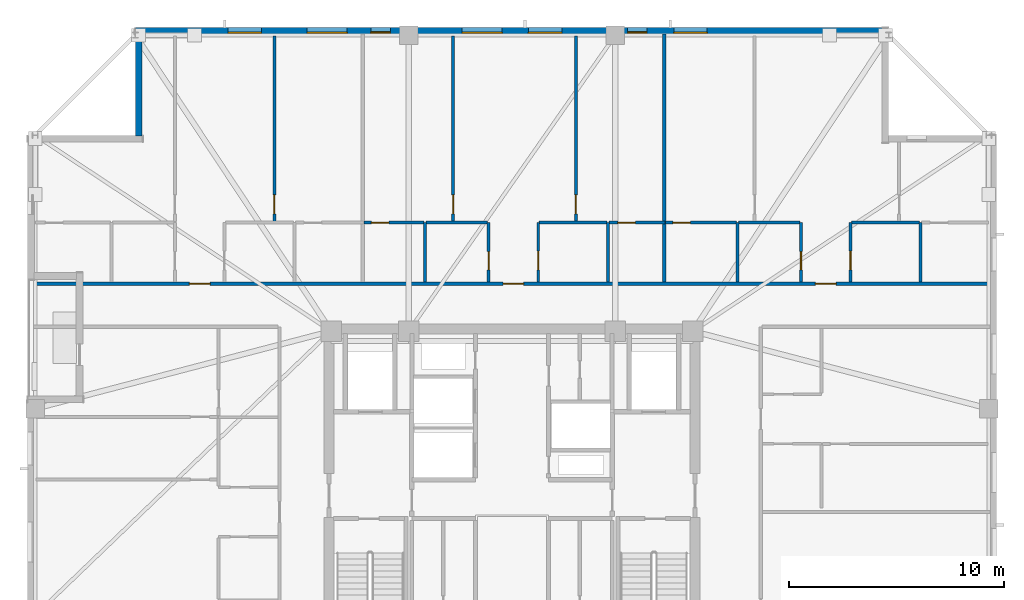
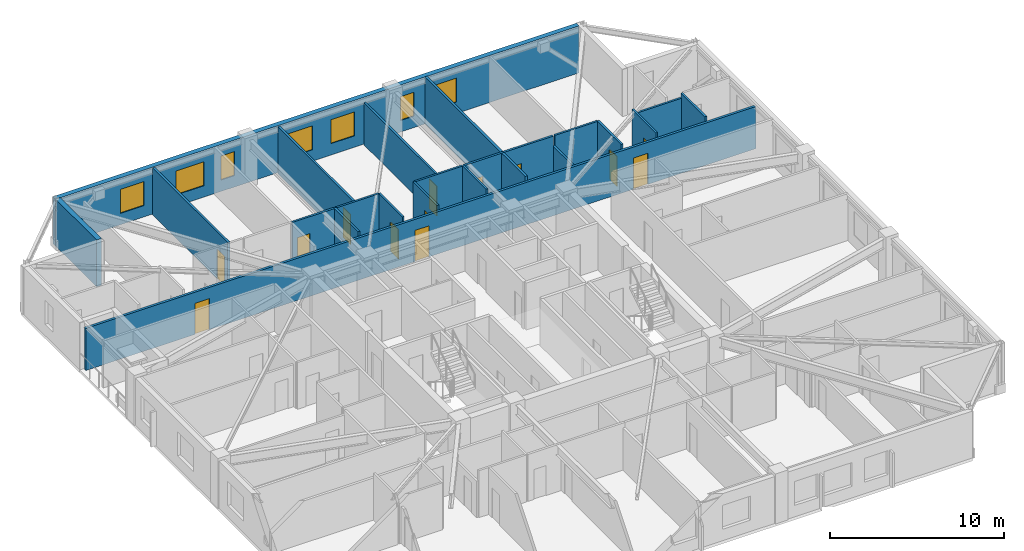
# One storey, part 11 of 17: 22 walls, 13 doors, 7 windows, 20 openings.
"""IFC4 building model written with IfcOpenShell, lengths in metres."""

import ifcopenshell
import ifcopenshell.guid

model = None  # the IFC model being written
_history = None  # IfcOwnerHistory: only IFC2X3 demands one
_inside = {}  # id of a spatial element -> (the spatial element, [elements in it])
_under = {}  # id of a project, library or spatial element -> (it, [spatial elements below it])
_declared = {}  # id of a project -> (the project, [libraries it declares])
_typed = {}  # id of a type object -> (the type object, [elements of that type])
_made_of = {}  # id of a material, layer set ... -> (it, [elements and type objects made of it])


def new_model(schema):
    """Start an empty IFC model of exactly this schema.

    Asked for "IFC4X3", IfcOpenShell would pick the latest addendum, in which some entities
    have other attributes; the version numbers below select the first issue.
    IFC2X3 requires an IfcOwnerHistory on every rooted entity: one is made here for all.
    """
    global model, _history
    if schema == "IFC4X3":
        model = ifcopenshell.file(schema_version=(4, 3, 0, 0))
    else:
        model = ifcopenshell.file(schema=schema)
    _inside.clear()
    _under.clear()
    _declared.clear()
    _typed.clear()
    _made_of.clear()
    _history = None
    if model.schema == "IFC2X3":
        org = make("IfcOrganization", Name="unknown")
        user = make(
            "IfcPersonAndOrganization",
            ThePerson=make("IfcPerson", FamilyName="unknown"),
            TheOrganization=org,
        )
        app = make(
            "IfcApplication",
            ApplicationDeveloper=org,
            Version="unknown",
            ApplicationFullName="unknown",
            ApplicationIdentifier="unknown",
        )
        _history = make(
            "IfcOwnerHistory",
            OwningUser=user,
            OwningApplication=app,
            ChangeAction="ADDED",
            CreationDate=0,
        )
    return model


def make(cls, **values):
    """One entity of the class cls with the attributes given. An attribute that is None is left unset."""
    return model.create_entity(
        cls, **{name: value for name, value in values.items() if value is not None}
    )


def rooted(cls, **values):
    """An entity with a GlobalId (a new one), such as an element, a storey or a relation."""
    return make(cls, GlobalId=ifcopenshell.guid.new(), OwnerHistory=_history, **values)


def si_unit(unit_type, name, prefix=None):
    """IfcSIUnit, for example si_unit("LENGTHUNIT", "METRE", prefix="MILLI")."""
    return make("IfcSIUnit", UnitType=unit_type, Prefix=prefix, Name=name)


def assignment(units):
    """IfcUnitAssignment: the units of a project."""
    return None if units is None else make("IfcUnitAssignment", Units=units)


def point(xyz):
    """IfcCartesianPoint."""
    return None if xyz is None else make("IfcCartesianPoint", Coordinates=xyz)


def direction(xyz):
    """IfcDirection."""
    return None if xyz is None else make("IfcDirection", DirectionRatios=xyz)


def frame(location, z_axis=None, x_axis=None):
    """IfcAxis2Placement3D, a coordinate frame: its origin and axes. An axis left out is left unset."""
    return make(
        "IfcAxis2Placement3D",
        Location=point(location),
        Axis=direction(z_axis),
        RefDirection=direction(x_axis),
    )


def frame_2d(location, x_axis=None):
    """IfcAxis2Placement2D, a coordinate frame in the plane: its origin and x axis."""
    return make(
        "IfcAxis2Placement2D", Location=point(location), RefDirection=direction(x_axis)
    )


def origin():
    """The frame at (0, 0, 0) with its axes left unset."""
    return frame((0.0, 0.0, 0.0))


def place(relative_to, where):
    """IfcLocalPlacement: puts the frame where relative to a parent placement (None: the world)."""
    return make(
        "IfcLocalPlacement", PlacementRelTo=relative_to, RelativePlacement=where
    )


def context(
    kind, dimensions, precision=None, world=None, true_north=None, identifier=None
):
    """IfcGeometricRepresentationContext, for example the 3D "Model" context."""
    return make(
        "IfcGeometricRepresentationContext",
        ContextIdentifier=identifier,
        ContextType=kind,
        CoordinateSpaceDimension=dimensions,
        Precision=precision,
        WorldCoordinateSystem=world,
        TrueNorth=true_north,
    )


def subcontext(parent, identifier, kind, view, scale=None):
    """IfcGeometricRepresentationSubContext, for example "Body" below "Model"."""
    return make(
        "IfcGeometricRepresentationSubContext",
        ContextIdentifier=identifier,
        ContextType=kind,
        ParentContext=parent,
        TargetScale=scale,
        TargetView=view,
    )


def project(units=None, contexts=None):
    """IfcProject with its units and contexts."""
    return rooted(
        "IfcProject",
        Name="project",
        RepresentationContexts=contexts,
        UnitsInContext=assignment(units),
    )


def spatial(cls, under=None, at=None, **own):
    """A site, building, storey or space (cls), placed at a placement, below another one or the project."""
    s = rooted(cls, ObjectPlacement=at, **own)
    if under is not None:
        _under.setdefault(under.id(), (under, []))[1].append(s)
    return s


def profile(cls, at=None, kind="AREA", **sizes):
    """A parametric profile (cls). Its sizes go by their IFC names, for example OverallWidth=200.0."""
    return make(cls, ProfileType=kind, Position=at, **sizes)


def rectangle(**sizes):
    """IfcRectangleProfileDef."""
    return profile("IfcRectangleProfileDef", **sizes)


def extrude(swept, where, along, depth):
    """IfcExtrudedAreaSolid: the profile swept, set in the frame where, extruded along a direction by depth."""
    return make(
        "IfcExtrudedAreaSolid",
        SweptArea=swept,
        Position=where,
        ExtrudedDirection=direction(along),
        Depth=depth,
    )


def shape(context_of_items, identifier, shape_type, items):
    """IfcShapeRepresentation: the items that make up one representation, for example the "Body"."""
    return make(
        "IfcShapeRepresentation",
        ContextOfItems=context_of_items,
        RepresentationIdentifier=identifier,
        RepresentationType=shape_type,
        Items=items,
    )


def material(Name=None, Category=None):
    """IfcMaterial."""
    return make("IfcMaterial", Name=Name, Category=Category)


def layer(
    of_material, thickness, ventilated=None, Name=None, Category=None, Priority=None
):
    """IfcMaterialLayer: one layer of a wall or slab, of a material (None: an air gap)."""
    return make(
        "IfcMaterialLayer",
        Material=of_material,
        LayerThickness=thickness,
        IsVentilated=ventilated,
        Name=Name,
        Category=Category,
        Priority=Priority,
    )


def layer_set(layers, Name=None):
    """IfcMaterialLayerSet."""
    return make("IfcMaterialLayerSet", MaterialLayers=layers, LayerSetName=Name)


def made_of(thing, what):
    """Note that an element or type object is made of a material, layer set ...; save() writes the relation."""
    if what is not None:
        _made_of.setdefault(what.id(), (what, []))[1].append(thing)
    return thing


def type_object(cls, material=None, **own):
    """A type object (cls), such as IfcWallType, which elements share."""
    return made_of(rooted(cls, **own), material)


def element(
    cls,
    number,
    at=None,
    inside=None,
    cuts=None,
    type_object=None,
    material=None,
    context=None,
    identifier="Body",
    shape_type=None,
    held_by="IfcProductDefinitionShape",
    body=None,
    shapes=None,
    **own,
):
    """One element of the class cls, such as IfcWall. Its Tag is "e" and its number.

    at: its placement. inside: the storey or other place that contains it. cuts: it is an
    opening in that element (IfcRelVoidsElement). A single representation is given by context,
    identifier, shape_type and body (its items); several are given by shapes. held_by: the class
    of the entity that holds the representations. save() writes the other relations.
    """
    e = rooted(cls, Tag="e%d" % number, ObjectPlacement=at, **own)
    if body is not None:
        shapes = [shape(context, identifier, shape_type, body)]
    if shapes is not None:
        e.Representation = make(held_by, Representations=shapes)
    if inside is not None:
        _inside.setdefault(inside.id(), (inside, []))[1].append(e)
    if cuts is not None:
        rooted(
            "IfcRelVoidsElement", RelatingBuildingElement=cuts, RelatedOpeningElement=e
        )
    if type_object is not None:
        _typed.setdefault(type_object.id(), (type_object, []))[1].append(e)
    return made_of(e, material)


def fill(opening, filler):
    """IfcRelFillsElement: the door or window that sits in an opening."""
    return rooted(
        "IfcRelFillsElement",
        RelatingOpeningElement=opening,
        RelatedBuildingElement=filler,
    )


def aggregate(whole, parts):
    """IfcRelAggregates: a whole, such as a stair, and the parts it consists of."""
    return rooted("IfcRelAggregates", RelatingObject=whole, RelatedObjects=parts)


def save(model, path):
    """Write the relations noted so far, then the file.

    IfcRelAggregates (storeys below a building ...), IfcRelContainedInSpatialStructure (elements
    in a storey), IfcRelDefinesByType, IfcRelAssociatesMaterial and IfcRelDeclares: one each for
    every whole, place, type object, material and project.
    """
    for whole, parts in _under.values():
        aggregate(whole, parts)
    for where, things in _inside.values():
        rooted(
            "IfcRelContainedInSpatialStructure",
            RelatedElements=things,
            RelatingStructure=where,
        )
    for kind, things in _typed.values():
        rooted("IfcRelDefinesByType", RelatedObjects=things, RelatingType=kind)
    for what, things in _made_of.values():
        rooted("IfcRelAssociatesMaterial", RelatedObjects=things, RelatingMaterial=what)
    for by, libraries in _declared.values():
        rooted("IfcRelDeclares", RelatingContext=by, RelatedDefinitions=libraries)
    model.write(path)


model = new_model("IFC4")

# Units and contexts
model_context = context("Model", 3, precision=1e-05, world=origin(), true_north=direction((0.0, 1.0)))
body_context = subcontext(model_context, "Body", "Model", "MODEL_VIEW")
ifc_project = project(units=[si_unit("LENGTHUNIT", "METRE"), si_unit("AREAUNIT", "SQUARE_METRE"), si_unit("VOLUMEUNIT", "CUBIC_METRE"), si_unit("PLANEANGLEUNIT", "RADIAN"), si_unit("MASSUNIT", "GRAM", prefix="KILO")], contexts=[model_context])

# Site, building, storey
site_placement = place(None, origin())
site = spatial("IfcSite", under=ifc_project, at=site_placement, CompositionType="ELEMENT")
building_placement = place(site_placement, origin())
building = spatial("IfcBuilding", under=site, at=building_placement, Name="Cairnveth Concourse Tower", CompositionType="ELEMENT")
storey_placement = place(building_placement, frame((0.0, 0.0, 227.0)))
storey = spatial("IfcBuildingStorey", under=building, at=storey_placement, Name="L62", CompositionType="ELEMENT", Elevation=227.0)

# Wall, openings, doors
ifc_material_1 = material(Name="Gypsum Plasterboard Partition", Category="gypsum")
ifc_layer_1 = layer(ifc_material_1, 0.159912109375)
ifc_layer_set_1 = layer_set([ifc_layer_1], Name="Gypsum Plasterboard Partition")
wall_type_1 = type_object("IfcWallType", Name="ACOUSTIC PARTY WALL 180", PredefinedType="PARTITIONING", material=ifc_layer_set_1)
wall_1_placement = place(storey_placement, frame((29.77001953125, 49.612548828125, 0.0), z_axis=(0.0, 0.0, 1.0), x_axis=(1.0, 0.0, 0.0)))
wall_1 = element("IfcWall", 1, at=wall_1_placement, inside=storey, type_object=wall_type_1, Name="Interior Wall IW-L62-037", PredefinedType="PARTITIONING", context=body_context, shape_type="SweptSolid", body=[
    extrude(rectangle(XDim=44.425048828125, YDim=0.159912109375, at=frame_2d((22.21240234375, 0.0))), origin(), (0.0, 0.0, 1.0), 2.9580078125),
])
opening_1_placement = place(wall_1_placement, frame((7.2412109375, 0.0, 0.0)))
opening_1 = element("IfcOpeningElement", 2, at=opening_1_placement, cuts=wall_1, Name="Opening ID10", PredefinedType="OPENING", context=body_context, shape_type="SweptSolid", body=[
    extrude(rectangle(XDim=0.9599609375, YDim=2.179931640625, at=frame_2d((0.47998046875, 1.08984375))), frame((0.0, 0.08984375, 0.0), z_axis=(0.0, -1.0, 0.0), x_axis=(1.0, 0.0, 0.0)), (0.0, 0.0, 1.0), 0.179931640625),
])
opening_2_placement = place(wall_1_placement, frame((21.81494140625, 0.0, 0.0)))
opening_2 = element("IfcOpeningElement", 3, at=opening_2_placement, cuts=wall_1, Name="Opening ID10", PredefinedType="OPENING", context=body_context, shape_type="SweptSolid", body=[
    extrude(rectangle(XDim=0.9599609375, YDim=2.179931640625, at=frame_2d((0.47998046875, 1.08984375))), frame((0.0, 0.08984375, 0.0), z_axis=(0.0, -1.0, 0.0), x_axis=(1.0, 0.0, 0.0)), (0.0, 0.0, 1.0), 0.179931640625),
])
opening_3_placement = place(wall_1_placement, frame((36.32373046875, 0.0, 0.0)))
opening_3 = element("IfcOpeningElement", 4, at=opening_3_placement, cuts=wall_1, Name="Opening ID10", PredefinedType="OPENING", context=body_context, shape_type="SweptSolid", body=[
    extrude(rectangle(XDim=0.9599609375, YDim=2.179931640625, at=frame_2d((0.47998046875, 1.08984375))), frame((0.0, 0.08984375, 0.0), z_axis=(0.0, -1.0, 0.0), x_axis=(1.0, 0.0, 0.0)), (0.0, 0.0, 1.0), 0.179931640625),
])
ifc_material_2 = material(Name="Solid Core Hardwood Timber Leaf", Category="wood")
door_type_1 = type_object("IfcDoorType", Name="FLAT ENTRANCE DOOR 960X2150", OperationType="NOTDEFINED", PredefinedType="DOOR", material=ifc_material_2)
door_1_placement = place(opening_1_placement, origin())
door_1 = element("IfcDoor", 5, at=door_1_placement, inside=storey, type_object=door_type_1, Name="Apartment L62N1 Entrance Door", OperationType="SINGLE_SWING_LEFT", OverallHeight=2.179931640625, OverallWidth=0.9599609375, PredefinedType="DOOR", context=body_context, shape_type="SweptSolid", body=[
    extrude(rectangle(XDim=0.9599609375, YDim=2.179931640625, at=frame_2d((0.47998046875, 1.08984375))), frame((0.0, 0.02490234375, 0.0), z_axis=(0.0, -1.0, 0.0), x_axis=(1.0, 0.0, 0.0)), (0.0, 0.0, 1.0), 0.050048828125),
])
fill(opening_1, door_1)
door_2_placement = place(opening_2_placement, origin())
door_2 = element("IfcDoor", 6, at=door_2_placement, inside=storey, type_object=door_type_1, Name="Apartment L62N2 Entrance Door", OperationType="SINGLE_SWING_RIGHT", OverallHeight=2.179931640625, OverallWidth=0.9599609375, PredefinedType="DOOR", context=body_context, shape_type="SweptSolid", body=[
    extrude(rectangle(XDim=0.9599609375, YDim=2.179931640625, at=frame_2d((0.47998046875, 1.08984375))), frame((0.0, 0.02490234375, 0.0), z_axis=(0.0, -1.0, 0.0), x_axis=(1.0, 0.0, 0.0)), (0.0, 0.0, 1.0), 0.050048828125),
])
fill(opening_2, door_2)
door_3_placement = place(opening_3_placement, origin())
door_3 = element("IfcDoor", 7, at=door_3_placement, inside=storey, type_object=door_type_1, Name="Apartment L62N3 Entrance Door", OperationType="SINGLE_SWING_LEFT", OverallHeight=2.179931640625, OverallWidth=0.9599609375, PredefinedType="DOOR", context=body_context, shape_type="SweptSolid", body=[
    extrude(rectangle(XDim=0.9599609375, YDim=2.179931640625, at=frame_2d((0.47998046875, 1.08984375))), frame((0.0, 0.02490234375, 0.0), z_axis=(0.0, -1.0, 0.0), x_axis=(1.0, 0.0, 0.0)), (0.0, 0.0, 1.0), 0.050048828125),
])
fill(opening_3, door_3)

# Wall
wall_2_placement = place(storey_placement, frame((59.0673828125, 49.677490234375, 0.0), z_axis=(0.0, 0.0, 1.0), x_axis=(0.0, 1.0, 0.0)))
element("IfcWall", 8, at=wall_2_placement, inside=storey, type_object=wall_type_1, Name="Interior Wall IW-L62-088", PredefinedType="PARTITIONING", context=body_context, shape_type="SweptSolid", body=[
    extrude(rectangle(XDim=11.517578125, YDim=0.159912109375, at=frame_2d((5.7587890625, 0.0))), origin(), (0.0, 0.0, 1.0), 3.2900390625),
])

# Wall, opening, door
ifc_layer_2 = layer(ifc_material_1, 0.139892578125)
ifc_layer_set_2 = layer_set([ifc_layer_2], Name="Gypsum Plasterboard Partition")
wall_type_2 = type_object("IfcWallType", Name="GYPSUM STUD PARTITION 140", PredefinedType="PARTITIONING", material=ifc_layer_set_2)
wall_3_placement = place(storey_placement, frame((40.96240234375, 52.492431640625, 0.0), z_axis=(0.0, 0.0, 1.0), x_axis=(0.0, 1.0, 0.0)))
wall_3 = element("IfcWall", 9, at=wall_3_placement, inside=storey, type_object=wall_type_2, Name="Interior Wall IW-L62-075", PredefinedType="PARTITIONING", context=body_context, shape_type="SweptSolid", body=[
    extrude(rectangle(XDim=8.627685546875, YDim=0.139892578125, at=frame_2d((4.31396484375, 0.0))), origin(), (0.0, 0.0, 1.0), 3.2900390625),
])
opening_4_placement = place(wall_3_placement, frame((0.360107421875, 0.0, 0.0)))
opening_4 = element("IfcOpeningElement", 10, at=opening_4_placement, cuts=wall_3, Name="Opening ID18", PredefinedType="OPENING", context=body_context, shape_type="SweptSolid", body=[
    extrude(rectangle(XDim=0.8798828125, YDim=2.10009765625, at=frame_2d((0.43994140625, 1.050048828125))), frame((0.0, 0.079833984375, 0.0), z_axis=(0.0, -1.0, 0.0), x_axis=(1.0, 0.0, 0.0)), (0.0, 0.0, 1.0), 0.159912109375),
])
door_type_2 = type_object("IfcDoorType", Name="INTERIOR SINGLE DOOR 880X2100", OperationType="NOTDEFINED", PredefinedType="DOOR", material=ifc_material_2)
door_4_placement = place(opening_4_placement, origin())
door_4 = element("IfcDoor", 11, at=door_4_placement, inside=storey, type_object=door_type_2, Name="L62N1 Bedroom 2 Door", OperationType="SINGLE_SWING_RIGHT", OverallHeight=2.10009765625, OverallWidth=0.8798828125, PredefinedType="DOOR", context=body_context, shape_type="SweptSolid", body=[
    extrude(rectangle(XDim=0.8798828125, YDim=2.10009765625, at=frame_2d((0.43994140625, 1.050048828125))), frame((0.0, 0.02490234375, 0.0), z_axis=(0.0, -1.0, 0.0), x_axis=(1.0, 0.0, 0.0)), (0.0, 0.0, 1.0), 0.050048828125),
])
fill(opening_4, door_4)

wall_4_placement = place(storey_placement, frame((49.262451171875, 52.492431640625, 0.0), z_axis=(0.0, 0.0, 1.0), x_axis=(0.0, 1.0, 0.0)))
wall_4 = element("IfcWall", 12, at=wall_4_placement, inside=storey, type_object=wall_type_2, Name="Interior Wall IW-L62-084", PredefinedType="PARTITIONING", context=body_context, shape_type="SweptSolid", body=[
    extrude(rectangle(XDim=8.627685546875, YDim=0.139892578125, at=frame_2d((4.31396484375, 0.0))), origin(), (0.0, 0.0, 1.0), 3.2900390625),
])
opening_5_placement = place(wall_4_placement, frame((0.360107421875, 0.0, 0.0)))
opening_5 = element("IfcOpeningElement", 13, at=opening_5_placement, cuts=wall_4, Name="Opening ID18", PredefinedType="OPENING", context=body_context, shape_type="SweptSolid", body=[
    extrude(rectangle(XDim=0.8798828125, YDim=2.10009765625, at=frame_2d((0.43994140625, 1.050048828125))), frame((0.0, 0.079833984375, 0.0), z_axis=(0.0, -1.0, 0.0), x_axis=(1.0, 0.0, 0.0)), (0.0, 0.0, 1.0), 0.159912109375),
])
door_5_placement = place(opening_5_placement, origin())
door_5 = element("IfcDoor", 14, at=door_5_placement, inside=storey, type_object=door_type_2, Name="L62N2 Master Bedroom Door", OperationType="SINGLE_SWING_LEFT", OverallHeight=2.10009765625, OverallWidth=0.8798828125, PredefinedType="DOOR", context=body_context, shape_type="SweptSolid", body=[
    extrude(rectangle(XDim=0.8798828125, YDim=2.10009765625, at=frame_2d((0.43994140625, 1.050048828125))), frame((0.0, 0.02490234375, 0.0), z_axis=(0.0, -1.0, 0.0), x_axis=(1.0, 0.0, 0.0)), (0.0, 0.0, 1.0), 0.050048828125),
])
fill(opening_5, door_5)

wall_5_placement = place(storey_placement, frame((45.12744140625, 52.4423828125, 0.0), z_axis=(0.0, 0.0, 1.0), x_axis=(1.0, 0.0, 0.0)))
wall_5 = element("IfcWall", 15, at=wall_5_placement, inside=storey, type_object=wall_type_2, Name="Interior Wall IW-L62-085", PredefinedType="PARTITIONING", context=body_context, shape_type="SweptSolid", body=[
    extrude(rectangle(XDim=2.78759765625, YDim=0.139892578125, at=frame_2d((1.393798828125, 0.0))), origin(), (0.0, 0.0, 1.0), 3.2900390625),
])
opening_6_placement = place(wall_5_placement, frame((0.3349609375, 0.0, 0.0)))
opening_6 = element("IfcOpeningElement", 16, at=opening_6_placement, cuts=wall_5, Name="Opening ID22", PredefinedType="OPENING", context=body_context, shape_type="SweptSolid", body=[
    extrude(rectangle(XDim=0.820068359375, YDim=2.10009765625, at=frame_2d((0.41015625, 1.050048828125))), frame((0.0, 0.079833984375, 0.0), z_axis=(0.0, -1.0, 0.0), x_axis=(1.0, 0.0, 0.0)), (0.0, 0.0, 1.0), 0.159912109375),
])
door_type_3 = type_object("IfcDoorType", Name="INTERIOR WC DOOR 820X2100", OperationType="NOTDEFINED", PredefinedType="DOOR", material=ifc_material_2)
door_6_placement = place(opening_6_placement, origin())
door_6 = element("IfcDoor", 17, at=door_6_placement, inside=storey, type_object=door_type_3, Name="L62N2 Dressing Door", OperationType="SINGLE_SWING_RIGHT", OverallHeight=2.10009765625, OverallWidth=0.820068359375, PredefinedType="DOOR", context=body_context, shape_type="SweptSolid", body=[
    extrude(rectangle(XDim=0.820068359375, YDim=2.10009765625, at=frame_2d((0.41015625, 1.050048828125))), frame((0.0, 0.02490234375, 0.0), z_axis=(0.0, -1.0, 0.0), x_axis=(1.0, 0.0, 0.0)), (0.0, 0.0, 1.0), 0.050048828125),
])
fill(opening_6, door_6)

wall_6_placement = place(storey_placement, frame((54.967529296875, 52.492431640625, 0.0), z_axis=(0.0, 0.0, 1.0), x_axis=(0.0, 1.0, 0.0)))
wall_6 = element("IfcWall", 18, at=wall_6_placement, inside=storey, type_object=wall_type_2, Name="Interior Wall IW-L62-086", PredefinedType="PARTITIONING", context=body_context, shape_type="SweptSolid", body=[
    extrude(rectangle(XDim=8.627685546875, YDim=0.139892578125, at=frame_2d((4.31396484375, 0.0))), origin(), (0.0, 0.0, 1.0), 2.9580078125),
])
opening_7_placement = place(wall_6_placement, frame((0.360107421875, 0.0, 0.0)))
opening_7 = element("IfcOpeningElement", 19, at=opening_7_placement, cuts=wall_6, Name="Opening ID18", PredefinedType="OPENING", context=body_context, shape_type="SweptSolid", body=[
    extrude(rectangle(XDim=0.8798828125, YDim=2.10009765625, at=frame_2d((0.43994140625, 1.050048828125))), frame((0.0, 0.079833984375, 0.0), z_axis=(0.0, -1.0, 0.0), x_axis=(1.0, 0.0, 0.0)), (0.0, 0.0, 1.0), 0.159912109375),
])
door_7_placement = place(opening_7_placement, origin())
door_7 = element("IfcDoor", 20, at=door_7_placement, inside=storey, type_object=door_type_2, Name="L62N2 Bedroom 2 Door", OperationType="SINGLE_SWING_LEFT", OverallHeight=2.10009765625, OverallWidth=0.8798828125, PredefinedType="DOOR", context=body_context, shape_type="SweptSolid", body=[
    extrude(rectangle(XDim=0.8798828125, YDim=2.10009765625, at=frame_2d((0.43994140625, 1.050048828125))), frame((0.0, 0.02490234375, 0.0), z_axis=(0.0, -1.0, 0.0), x_axis=(1.0, 0.0, 0.0)), (0.0, 0.0, 1.0), 0.050048828125),
])
fill(opening_7, door_7)

wall_7_placement = place(storey_placement, frame((56.514892578125, 52.4423828125, 0.0), z_axis=(0.0, 0.0, 1.0), x_axis=(1.0, 0.0, 0.0)))
wall_7 = element("IfcWall", 21, at=wall_7_placement, inside=storey, type_object=wall_type_2, Name="Interior Wall IW-L62-087", PredefinedType="PARTITIONING", context=body_context, shape_type="SweptSolid", body=[
    extrude(rectangle(XDim=2.6025390625, YDim=0.139892578125, at=frame_2d((1.30126953125, 0.0))), origin(), (0.0, 0.0, 1.0), 3.2900390625),
])
opening_8_placement = place(wall_7_placement, frame((0.39990234375, 0.0, 0.0)))
opening_8 = element("IfcOpeningElement", 22, at=opening_8_placement, cuts=wall_7, Name="Opening ID22", PredefinedType="OPENING", context=body_context, shape_type="SweptSolid", body=[
    extrude(rectangle(XDim=0.820068359375, YDim=2.10009765625, at=frame_2d((0.41015625, 1.050048828125))), frame((0.0, 0.079833984375, 0.0), z_axis=(0.0, -1.0, 0.0), x_axis=(1.0, 0.0, 0.0)), (0.0, 0.0, 1.0), 0.159912109375),
])
door_8_placement = place(opening_8_placement, origin())
door_8 = element("IfcDoor", 23, at=door_8_placement, inside=storey, type_object=door_type_3, Name="L62N2 Utility Door", OperationType="SINGLE_SWING_RIGHT", OverallHeight=2.10009765625, OverallWidth=0.820068359375, PredefinedType="DOOR", context=body_context, shape_type="SweptSolid", body=[
    extrude(rectangle(XDim=0.820068359375, YDim=2.10009765625, at=frame_2d((0.41015625, 1.050048828125))), frame((0.0, 0.02490234375, 0.0), z_axis=(0.0, -1.0, 0.0), x_axis=(1.0, 0.0, 0.0)), (0.0, 0.0, 1.0), 0.050048828125),
])
fill(opening_8, door_8)

wall_8_placement = place(storey_placement, frame((59.132568359375, 52.4423828125, 0.0), z_axis=(0.0, 0.0, 1.0), x_axis=(1.0, 0.0, 0.0)))
wall_8 = element("IfcWall", 24, at=wall_8_placement, inside=storey, type_object=wall_type_2, Name="Interior Wall IW-L62-096", PredefinedType="PARTITIONING", context=body_context, shape_type="SweptSolid", body=[
    extrude(rectangle(XDim=3.291015625, YDim=0.139892578125, at=frame_2d((1.6455078125, 0.0))), origin(), (0.0, 0.0, 1.0), 3.2900390625),
])
opening_9_placement = place(wall_8_placement, frame((0.3349609375, 0.0, 0.0)))
opening_9 = element("IfcOpeningElement", 25, at=opening_9_placement, cuts=wall_8, Name="Opening ID22", PredefinedType="OPENING", context=body_context, shape_type="SweptSolid", body=[
    extrude(rectangle(XDim=0.820068359375, YDim=2.10009765625, at=frame_2d((0.41015625, 1.050048828125))), frame((0.0, 0.079833984375, 0.0), z_axis=(0.0, -1.0, 0.0), x_axis=(1.0, 0.0, 0.0)), (0.0, 0.0, 1.0), 0.159912109375),
])
door_9_placement = place(opening_9_placement, origin())
door_9 = element("IfcDoor", 26, at=door_9_placement, inside=storey, type_object=door_type_3, Name="L62N3 Dressing Door", OperationType="SINGLE_SWING_LEFT", OverallHeight=2.10009765625, OverallWidth=0.820068359375, PredefinedType="DOOR", context=body_context, shape_type="SweptSolid", body=[
    extrude(rectangle(XDim=0.820068359375, YDim=2.10009765625, at=frame_2d((0.41015625, 1.050048828125))), frame((0.0, 0.02490234375, 0.0), z_axis=(0.0, -1.0, 0.0), x_axis=(1.0, 0.0, 0.0)), (0.0, 0.0, 1.0), 0.050048828125),
])
fill(opening_9, door_9)

# Wall
ifc_layer_3 = layer(ifc_material_1, 0.1298828125)
ifc_layer_set_3 = layer_set([ifc_layer_3], Name="Gypsum Plasterboard Partition")
wall_type_3 = type_object("IfcWallType", Name="WET AREA PARTITION 140", PredefinedType="PLUMBINGWALL", material=ifc_layer_set_3)
wall_9_placement = place(storey_placement, frame((47.965087890625, 49.6923828125, 0.0), z_axis=(0.0, 0.0, 1.0), x_axis=(0.0, 1.0, 0.0)))
element("IfcWall", 27, at=wall_9_placement, inside=storey, type_object=wall_type_3, Name="Interior Wall IW-L62-078", PredefinedType="PLUMBINGWALL", context=body_context, shape_type="SweptSolid", body=[
    extrude(rectangle(XDim=2.75, YDim=0.1298828125, at=frame_2d((1.375, 0.0))), origin(), (0.0, 0.0, 1.0), 3.2900390625),
])

# Wall, opening, door
wall_10_placement = place(storey_placement, frame((50.9150390625, 49.6923828125, 0.0), z_axis=(0.0, 0.0, 1.0), x_axis=(0.0, 1.0, 0.0)))
wall_10 = element("IfcWall", 28, at=wall_10_placement, inside=storey, type_object=wall_type_3, Name="Interior Wall IW-L62-079", PredefinedType="PLUMBINGWALL", context=body_context, shape_type="SweptSolid", body=[
    extrude(rectangle(XDim=2.75, YDim=0.1298828125, at=frame_2d((1.375, 0.0))), origin(), (0.0, 0.0, 1.0), 3.2900390625),
])
opening_10_placement = place(wall_10_placement, frame((0.550048828125, 0.0, 0.0)))
opening_10 = element("IfcOpeningElement", 29, at=opening_10_placement, cuts=wall_10, Name="Opening ID21", PredefinedType="OPENING", context=body_context, shape_type="SweptSolid", body=[
    extrude(rectangle(XDim=0.85009765625, YDim=2.080078125, at=frame_2d((0.425048828125, 1.0400390625))), frame((0.0, 0.074951171875, 0.0), z_axis=(0.0, -1.0, 0.0), x_axis=(1.0, 0.0, 0.0)), (0.0, 0.0, 1.0), 0.14990234375),
])
door_type_4 = type_object("IfcDoorType", Name="INTERIOR WC DOOR 850X2100", OperationType="NOTDEFINED", PredefinedType="DOOR", material=ifc_material_2)
door_10_placement = place(opening_10_placement, origin())
door_10 = element("IfcDoor", 30, at=door_10_placement, inside=storey, type_object=door_type_4, Name="L62N2 Bathroom Door", OperationType="SINGLE_SWING_RIGHT", OverallHeight=2.080078125, OverallWidth=0.85009765625, PredefinedType="DOOR", context=body_context, shape_type="SweptSolid", body=[
    extrude(rectangle(XDim=0.85009765625, YDim=2.080078125, at=frame_2d((0.425048828125, 1.0400390625))), frame((0.0, 0.02490234375, 0.0), z_axis=(0.0, -1.0, 0.0), x_axis=(1.0, 0.0, 0.0)), (0.0, 0.0, 1.0), 0.050048828125),
])
fill(opening_10, door_10)

# Walls
wall_11_placement = place(storey_placement, frame((48.014892578125, 52.4423828125, 0.0), z_axis=(0.0, 0.0, 1.0), x_axis=(1.0, 0.0, 0.0)))
element("IfcWall", 31, at=wall_11_placement, inside=storey, type_object=wall_type_3, Name="Interior Wall IW-L62-080", PredefinedType="PLUMBINGWALL", context=body_context, shape_type="SweptSolid", body=[
    extrude(rectangle(XDim=2.85009765625, YDim=0.1298828125, at=frame_2d((1.425048828125, 0.0))), origin(), (0.0, 0.0, 1.0), 3.2900390625),
])
wall_12_placement = place(storey_placement, frame((56.465087890625, 49.6923828125, 0.0), z_axis=(0.0, 0.0, 1.0), x_axis=(0.0, 1.0, 0.0)))
element("IfcWall", 32, at=wall_12_placement, inside=storey, type_object=wall_type_3, Name="Interior Wall IW-L62-081", PredefinedType="PLUMBINGWALL", context=body_context, shape_type="SweptSolid", body=[
    extrude(rectangle(XDim=2.75, YDim=0.1298828125, at=frame_2d((1.375, 0.0))), origin(), (0.0, 0.0, 1.0), 3.2900390625),
])

# Wall, opening, door
wall_13_placement = place(storey_placement, frame((53.215087890625, 49.6923828125, 0.0), z_axis=(0.0, 0.0, 1.0), x_axis=(0.0, 1.0, 0.0)))
wall_13 = element("IfcWall", 33, at=wall_13_placement, inside=storey, type_object=wall_type_3, Name="Interior Wall IW-L62-082", PredefinedType="PLUMBINGWALL", context=body_context, shape_type="SweptSolid", body=[
    extrude(rectangle(XDim=2.75, YDim=0.1298828125, at=frame_2d((1.375, 0.0))), origin(), (0.0, 0.0, 1.0), 3.2900390625),
])
opening_11_placement = place(wall_13_placement, frame((0.550048828125, 0.0, 0.0)))
opening_11 = element("IfcOpeningElement", 34, at=opening_11_placement, cuts=wall_13, Name="Opening ID18", PredefinedType="OPENING", context=body_context, shape_type="SweptSolid", body=[
    extrude(rectangle(XDim=0.8798828125, YDim=2.10009765625, at=frame_2d((0.43994140625, 1.050048828125))), frame((0.0, 0.074951171875, 0.0), z_axis=(0.0, -1.0, 0.0), x_axis=(1.0, 0.0, 0.0)), (0.0, 0.0, 1.0), 0.14990234375),
])
door_11_placement = place(opening_11_placement, origin())
door_11 = element("IfcDoor", 35, at=door_11_placement, inside=storey, type_object=door_type_2, Name="L62N2 Kitchen Door", OperationType="SINGLE_SWING_LEFT", OverallHeight=2.10009765625, OverallWidth=0.8798828125, PredefinedType="DOOR", context=body_context, shape_type="SweptSolid", body=[
    extrude(rectangle(XDim=0.8798828125, YDim=2.10009765625, at=frame_2d((0.43994140625, 1.050048828125))), frame((0.0, 0.02490234375, 0.0), z_axis=(0.0, -1.0, 0.0), x_axis=(1.0, 0.0, 0.0)), (0.0, 0.0, 1.0), 0.050048828125),
])
fill(opening_11, door_11)

# Walls
wall_14_placement = place(storey_placement, frame((53.264892578125, 52.4423828125, 0.0), z_axis=(0.0, 0.0, 1.0), x_axis=(1.0, 0.0, 0.0)))
element("IfcWall", 36, at=wall_14_placement, inside=storey, type_object=wall_type_3, Name="Interior Wall IW-L62-083", PredefinedType="PLUMBINGWALL", context=body_context, shape_type="SweptSolid", body=[
    extrude(rectangle(XDim=3.150146484375, YDim=0.1298828125, at=frame_2d((1.5751953125, 0.0))), origin(), (0.0, 0.0, 1.0), 3.2900390625),
])
wall_15_placement = place(storey_placement, frame((62.4736328125, 49.6923828125, 0.0), z_axis=(0.0, 0.0, 1.0), x_axis=(0.0, 1.0, 0.0)))
element("IfcWall", 37, at=wall_15_placement, inside=storey, type_object=wall_type_3, Name="Interior Wall IW-L62-089", PredefinedType="PLUMBINGWALL", context=body_context, shape_type="SweptSolid", body=[
    extrude(rectangle(XDim=2.75, YDim=0.1298828125, at=frame_2d((1.375, 0.0))), origin(), (0.0, 0.0, 1.0), 2.572998046875),
])

# Wall, opening, door
wall_16_placement = place(storey_placement, frame((65.423583984375, 49.6923828125, 0.0), z_axis=(0.0, 0.0, 1.0), x_axis=(0.0, 1.0, 0.0)))
wall_16 = element("IfcWall", 38, at=wall_16_placement, inside=storey, type_object=wall_type_3, Name="Interior Wall IW-L62-090", PredefinedType="PLUMBINGWALL", context=body_context, shape_type="SweptSolid", body=[
    extrude(rectangle(XDim=2.75, YDim=0.1298828125, at=frame_2d((1.375, 0.0))), origin(), (0.0, 0.0, 1.0), 3.2900390625),
])
opening_12_placement = place(wall_16_placement, frame((0.550048828125, 0.0, 0.0)))
opening_12 = element("IfcOpeningElement", 39, at=opening_12_placement, cuts=wall_16, Name="Opening ID21", PredefinedType="OPENING", context=body_context, shape_type="SweptSolid", body=[
    extrude(rectangle(XDim=0.85009765625, YDim=2.080078125, at=frame_2d((0.425048828125, 1.0400390625))), frame((0.0, 0.074951171875, 0.0), z_axis=(0.0, -1.0, 0.0), x_axis=(1.0, 0.0, 0.0)), (0.0, 0.0, 1.0), 0.14990234375),
])
door_12_placement = place(opening_12_placement, origin())
door_12 = element("IfcDoor", 40, at=door_12_placement, inside=storey, type_object=door_type_4, Name="L62N3 Bathroom Door", OperationType="SINGLE_SWING_LEFT", OverallHeight=2.080078125, OverallWidth=0.85009765625, PredefinedType="DOOR", context=body_context, shape_type="SweptSolid", body=[
    extrude(rectangle(XDim=0.85009765625, YDim=2.080078125, at=frame_2d((0.425048828125, 1.0400390625))), frame((0.0, 0.02490234375, 0.0), z_axis=(0.0, -1.0, 0.0), x_axis=(1.0, 0.0, 0.0)), (0.0, 0.0, 1.0), 0.050048828125),
])
fill(opening_12, door_12)

# Walls
wall_17_placement = place(storey_placement, frame((62.523681640625, 52.4423828125, 0.0), z_axis=(0.0, 0.0, 1.0), x_axis=(1.0, 0.0, 0.0)))
element("IfcWall", 41, at=wall_17_placement, inside=storey, type_object=wall_type_3, Name="Interior Wall IW-L62-091", PredefinedType="PLUMBINGWALL", context=body_context, shape_type="SweptSolid", body=[
    extrude(rectangle(XDim=2.85009765625, YDim=0.1298828125, at=frame_2d((1.425048828125, 0.0))), origin(), (0.0, 0.0, 1.0), 3.2900390625),
])
wall_18_placement = place(storey_placement, frame((70.973876953125, 49.6923828125, 0.0), z_axis=(0.0, 0.0, 1.0), x_axis=(0.0, 1.0, 0.0)))
element("IfcWall", 42, at=wall_18_placement, inside=storey, type_object=wall_type_3, Name="Interior Wall IW-L62-092", PredefinedType="PLUMBINGWALL", context=body_context, shape_type="SweptSolid", body=[
    extrude(rectangle(XDim=2.75, YDim=0.1298828125, at=frame_2d((1.375, 0.0))), origin(), (0.0, 0.0, 1.0), 3.2900390625),
])

# Wall, opening, door
wall_19_placement = place(storey_placement, frame((67.723876953125, 49.6923828125, 0.0), z_axis=(0.0, 0.0, 1.0), x_axis=(0.0, 1.0, 0.0)))
wall_19 = element("IfcWall", 43, at=wall_19_placement, inside=storey, type_object=wall_type_3, Name="Interior Wall IW-L62-093", PredefinedType="PLUMBINGWALL", context=body_context, shape_type="SweptSolid", body=[
    extrude(rectangle(XDim=2.75, YDim=0.1298828125, at=frame_2d((1.375, 0.0))), origin(), (0.0, 0.0, 1.0), 3.2900390625),
])
opening_13_placement = place(wall_19_placement, frame((0.550048828125, 0.0, 0.0)))
opening_13 = element("IfcOpeningElement", 44, at=opening_13_placement, cuts=wall_19, Name="Opening ID18", PredefinedType="OPENING", context=body_context, shape_type="SweptSolid", body=[
    extrude(rectangle(XDim=0.8798828125, YDim=2.10009765625, at=frame_2d((0.43994140625, 1.050048828125))), frame((0.0, 0.074951171875, 0.0), z_axis=(0.0, -1.0, 0.0), x_axis=(1.0, 0.0, 0.0)), (0.0, 0.0, 1.0), 0.14990234375),
])
door_13_placement = place(opening_13_placement, origin())
door_13 = element("IfcDoor", 45, at=door_13_placement, inside=storey, type_object=door_type_2, Name="L62N3 Kitchen Door", OperationType="SINGLE_SWING_RIGHT", OverallHeight=2.10009765625, OverallWidth=0.8798828125, PredefinedType="DOOR", context=body_context, shape_type="SweptSolid", body=[
    extrude(rectangle(XDim=0.8798828125, YDim=2.10009765625, at=frame_2d((0.43994140625, 1.050048828125))), frame((0.0, 0.02490234375, 0.0), z_axis=(0.0, -1.0, 0.0), x_axis=(1.0, 0.0, 0.0)), (0.0, 0.0, 1.0), 0.050048828125),
])
fill(opening_13, door_13)

# Walls
wall_20_placement = place(storey_placement, frame((67.773681640625, 52.4423828125, 0.0), z_axis=(0.0, 0.0, 1.0), x_axis=(1.0, 0.0, 0.0)))
element("IfcWall", 46, at=wall_20_placement, inside=storey, type_object=wall_type_3, Name="Interior Wall IW-L62-094", PredefinedType="PLUMBINGWALL", context=body_context, shape_type="SweptSolid", body=[
    extrude(rectangle(XDim=3.150146484375, YDim=0.1298828125, at=frame_2d((1.5751953125, 0.0))), origin(), (0.0, 0.0, 1.0), 2.9580078125),
])
ifc_material_3 = material(Name="Melbourne Buff Fired Clay Brick Masonry", Category="masonry")
ifc_layer_4 = layer(ifc_material_3, 0.320068359375)
ifc_layer_set_4 = layer_set([ifc_layer_4], Name="Melbourne Buff Fired Clay Brick Masonry")
wall_type_4 = type_object("IfcWallType", Name="ZONE 3 BRICK PIER SPANDREL WALL 320", PredefinedType="SOLIDWALL", material=ifc_layer_set_4)
wall_21_placement = place(storey_placement, frame((34.659912109375, 56.47802734375, 0.0), z_axis=(0.0, 0.0, 1.0), x_axis=(0.0, 1.0, 0.0)))
element("IfcWall", 47, at=wall_21_placement, inside=storey, type_object=wall_type_4, Name="Exterior Wall EW-L62-S02", PredefinedType="SOLIDWALL", context=body_context, shape_type="SweptSolid", body=[
    extrude(rectangle(XDim=4.723876953125, YDim=0.320068359375, at=frame_2d((2.36181640625, 0.0))), origin(), (0.0, 0.0, 1.0), 3.2900390625),
])

# Wall, openings, windows
wall_22_placement = place(storey_placement, frame((34.5, 61.340087890625, 0.0), z_axis=(0.0, 0.0, 1.0), x_axis=(1.0, 0.0, 0.0)))
wall_22 = element("IfcWall", 48, at=wall_22_placement, inside=storey, type_object=wall_type_4, Name="Exterior Wall EW-L62-S03", PredefinedType="SOLIDWALL", context=body_context, shape_type="SweptSolid", body=[
    extrude(rectangle(XDim=34.701904296875, YDim=0.320068359375, at=frame_2d((17.35107421875, 0.0))), origin(), (0.0, 0.0, 1.0), 3.2900390625),
])
opening_14_placement = place(wall_22_placement, frame((4.3125, 0.0, 0.800048828125)))
opening_14 = element("IfcOpeningElement", 49, at=opening_14_placement, cuts=wall_22, Name="Opening W07", PredefinedType="OPENING", context=body_context, shape_type="SweptSolid", body=[
    extrude(rectangle(XDim=1.550048828125, YDim=1.677978515625, at=frame_2d((0.77490234375, 0.8388671875))), frame((0.0, 0.169921875, 0.0), z_axis=(0.0, -1.0, 0.0), x_axis=(1.0, 0.0, 0.0)), (0.0, 0.0, 1.0), 0.340087890625),
])
opening_15_placement = place(wall_22_placement, frame((7.98779296875, 0.0, 0.800048828125)))
opening_15 = element("IfcOpeningElement", 50, at=opening_15_placement, cuts=wall_22, Name="Opening W08", PredefinedType="OPENING", context=body_context, shape_type="SweptSolid", body=[
    extrude(rectangle(XDim=1.85009765625, YDim=1.677978515625, at=frame_2d((0.925048828125, 0.8388671875))), frame((0.0, 0.169921875, 0.0), z_axis=(0.0, -1.0, 0.0), x_axis=(1.0, 0.0, 0.0)), (0.0, 0.0, 1.0), 0.340087890625),
])
opening_16_placement = place(wall_22_placement, frame((15.1884765625, 0.0, 0.800048828125)))
opening_16 = element("IfcOpeningElement", 51, at=opening_16_placement, cuts=wall_22, Name="Opening W08", PredefinedType="OPENING", context=body_context, shape_type="SweptSolid", body=[
    extrude(rectangle(XDim=1.85009765625, YDim=1.677978515625, at=frame_2d((0.925048828125, 0.8388671875))), frame((0.0, 0.169921875, 0.0), z_axis=(0.0, -1.0, 0.0), x_axis=(1.0, 0.0, 0.0)), (0.0, 0.0, 1.0), 0.340087890625),
])
opening_17_placement = place(wall_22_placement, frame((18.263671875, 0.0, 0.800048828125)))
opening_17 = element("IfcOpeningElement", 52, at=opening_17_placement, cuts=wall_22, Name="Opening W07", PredefinedType="OPENING", context=body_context, shape_type="SweptSolid", body=[
    extrude(rectangle(XDim=1.550048828125, YDim=1.677978515625, at=frame_2d((0.77490234375, 0.8388671875))), frame((0.0, 0.169921875, 0.0), z_axis=(0.0, -1.0, 0.0), x_axis=(1.0, 0.0, 0.0)), (0.0, 0.0, 1.0), 0.340087890625),
])
opening_18_placement = place(wall_22_placement, frame((25.01416015625, 0.0, 0.800048828125)))
opening_18 = element("IfcOpeningElement", 53, at=opening_18_placement, cuts=wall_22, Name="Opening W07", PredefinedType="OPENING", context=body_context, shape_type="SweptSolid", body=[
    extrude(rectangle(XDim=1.550048828125, YDim=1.677978515625, at=frame_2d((0.77490234375, 0.8388671875))), frame((0.0, 0.169921875, 0.0), z_axis=(0.0, -1.0, 0.0), x_axis=(1.0, 0.0, 0.0)), (0.0, 0.0, 1.0), 0.340087890625),
])
opening_19_placement = place(wall_22_placement, frame((10.949951171875, 0.0, 0.800048828125)))
opening_19 = element("IfcOpeningElement", 54, at=opening_19_placement, cuts=wall_22, Name="Opening W13", PredefinedType="OPENING", context=body_context, shape_type="SweptSolid", body=[
    extrude(rectangle(XDim=0.89990234375, YDim=1.677978515625, at=frame_2d((0.449951171875, 0.8388671875))), frame((0.0, 0.169921875, 0.0), z_axis=(0.0, -1.0, 0.0), x_axis=(1.0, 0.0, 0.0)), (0.0, 0.0, 1.0), 0.340087890625),
])
opening_20_placement = place(wall_22_placement, frame((22.8701171875, 0.0, 0.800048828125)))
opening_20 = element("IfcOpeningElement", 55, at=opening_20_placement, cuts=wall_22, Name="Opening W13", PredefinedType="OPENING", context=body_context, shape_type="SweptSolid", body=[
    extrude(rectangle(XDim=0.89990234375, YDim=1.677978515625, at=frame_2d((0.449951171875, 0.8388671875))), frame((0.0, 0.169921875, 0.0), z_axis=(0.0, -1.0, 0.0), x_axis=(1.0, 0.0, 0.0)), (0.0, 0.0, 1.0), 0.340087890625),
])
ifc_material_4 = material(Name="Double Glazed Low-E Clear Glass", Category="glass")
window_type_1 = type_object("IfcWindowType", Name="DEEP-SET APARTMENT LIVING WINDOW 1850X1850", PartitioningType="DOUBLE_PANEL_VERTICAL", PredefinedType="WINDOW", material=ifc_material_4)
window_1_placement = place(opening_15_placement, origin())
window_1 = element("IfcWindow", 56, at=window_1_placement, inside=storey, type_object=window_type_1, Name="Gothic Lancet Window L62-3-2", OverallHeight=1.677978515625, OverallWidth=1.85009765625, PartitioningType="SINGLE_PANEL", PredefinedType="WINDOW", context=body_context, shape_type="SweptSolid", body=[
    extrude(rectangle(XDim=1.85009765625, YDim=1.677978515625, at=frame_2d((0.925048828125, 0.8388671875))), frame((0.0, -0.050048828125, 0.0), z_axis=(0.0, -1.0, 0.0), x_axis=(1.0, 0.0, 0.0)), (0.0, 0.0, 1.0), 0.06005859375),
])
fill(opening_15, window_1)
window_2_placement = place(opening_16_placement, origin())
window_2 = element("IfcWindow", 57, at=window_2_placement, inside=storey, type_object=window_type_1, Name="Gothic Lancet Window L62-3-4", OverallHeight=1.677978515625, OverallWidth=1.85009765625, PartitioningType="SINGLE_PANEL", PredefinedType="WINDOW", context=body_context, shape_type="SweptSolid", body=[
    extrude(rectangle(XDim=1.85009765625, YDim=1.677978515625, at=frame_2d((0.925048828125, 0.8388671875))), frame((0.0, -0.050048828125, 0.0), z_axis=(0.0, -1.0, 0.0), x_axis=(1.0, 0.0, 0.0)), (0.0, 0.0, 1.0), 0.06005859375),
])
fill(opening_16, window_2)
window_type_2 = type_object("IfcWindowType", Name="DEEP-SET APARTMENT WINDOW 1550X1800", PartitioningType="DOUBLE_PANEL_VERTICAL", PredefinedType="WINDOW", material=ifc_material_4)
window_3_placement = place(opening_14_placement, origin())
window_3 = element("IfcWindow", 58, at=window_3_placement, inside=storey, type_object=window_type_2, Name="Gothic Lancet Window L62-3-1", OverallHeight=1.677978515625, OverallWidth=1.550048828125, PartitioningType="SINGLE_PANEL", PredefinedType="WINDOW", context=body_context, shape_type="SweptSolid", body=[
    extrude(rectangle(XDim=1.550048828125, YDim=1.677978515625, at=frame_2d((0.77490234375, 0.8388671875))), frame((0.0, -0.050048828125, 0.0), z_axis=(0.0, -1.0, 0.0), x_axis=(1.0, 0.0, 0.0)), (0.0, 0.0, 1.0), 0.06005859375),
])
fill(opening_14, window_3)
window_4_placement = place(opening_17_placement, origin())
window_4 = element("IfcWindow", 59, at=window_4_placement, inside=storey, type_object=window_type_2, Name="Gothic Lancet Window L62-3-5", OverallHeight=1.677978515625, OverallWidth=1.550048828125, PartitioningType="SINGLE_PANEL", PredefinedType="WINDOW", context=body_context, shape_type="SweptSolid", body=[
    extrude(rectangle(XDim=1.550048828125, YDim=1.677978515625, at=frame_2d((0.77490234375, 0.8388671875))), frame((0.0, -0.050048828125, 0.0), z_axis=(0.0, -1.0, 0.0), x_axis=(1.0, 0.0, 0.0)), (0.0, 0.0, 1.0), 0.06005859375),
])
fill(opening_17, window_4)
window_5_placement = place(opening_18_placement, origin())
window_5 = element("IfcWindow", 60, at=window_5_placement, inside=storey, type_object=window_type_2, Name="Gothic Lancet Window L62-3-7", OverallHeight=1.677978515625, OverallWidth=1.550048828125, PartitioningType="SINGLE_PANEL", PredefinedType="WINDOW", context=body_context, shape_type="SweptSolid", body=[
    extrude(rectangle(XDim=1.550048828125, YDim=1.677978515625, at=frame_2d((0.77490234375, 0.8388671875))), frame((0.0, -0.050048828125, 0.0), z_axis=(0.0, -1.0, 0.0), x_axis=(1.0, 0.0, 0.0)), (0.0, 0.0, 1.0), 0.06005859375),
])
fill(opening_18, window_5)
window_type_3 = type_object("IfcWindowType", Name="DEEP-SET BEDROOM LANCET WINDOW 900X1750", PartitioningType="DOUBLE_PANEL_VERTICAL", PredefinedType="WINDOW", material=ifc_material_4)
window_6_placement = place(opening_19_placement, origin())
window_6 = element("IfcWindow", 61, at=window_6_placement, inside=storey, type_object=window_type_3, Name="Dwelling Lancet Window L62-DW4", OverallHeight=1.677978515625, OverallWidth=0.89990234375, PartitioningType="SINGLE_PANEL", PredefinedType="WINDOW", context=body_context, shape_type="SweptSolid", body=[
    extrude(rectangle(XDim=0.89990234375, YDim=1.677978515625, at=frame_2d((0.449951171875, 0.8388671875))), frame((0.0, -0.0400390625, 0.0), z_axis=(0.0, -1.0, 0.0), x_axis=(1.0, 0.0, 0.0)), (0.0, 0.0, 1.0), 0.06005859375),
])
fill(opening_19, window_6)
window_7_placement = place(opening_20_placement, origin())
window_7 = element("IfcWindow", 62, at=window_7_placement, inside=storey, type_object=window_type_3, Name="Dwelling Lancet Window L62-DW5", OverallHeight=1.677978515625, OverallWidth=0.89990234375, PartitioningType="SINGLE_PANEL", PredefinedType="WINDOW", context=body_context, shape_type="SweptSolid", body=[
    extrude(rectangle(XDim=0.89990234375, YDim=1.677978515625, at=frame_2d((0.449951171875, 0.8388671875))), frame((0.0, -0.0400390625, 0.0), z_axis=(0.0, -1.0, 0.0), x_axis=(1.0, 0.0, 0.0)), (0.0, 0.0, 1.0), 0.06005859375),
])
fill(opening_20, window_7)

save(model, "model.ifc")
